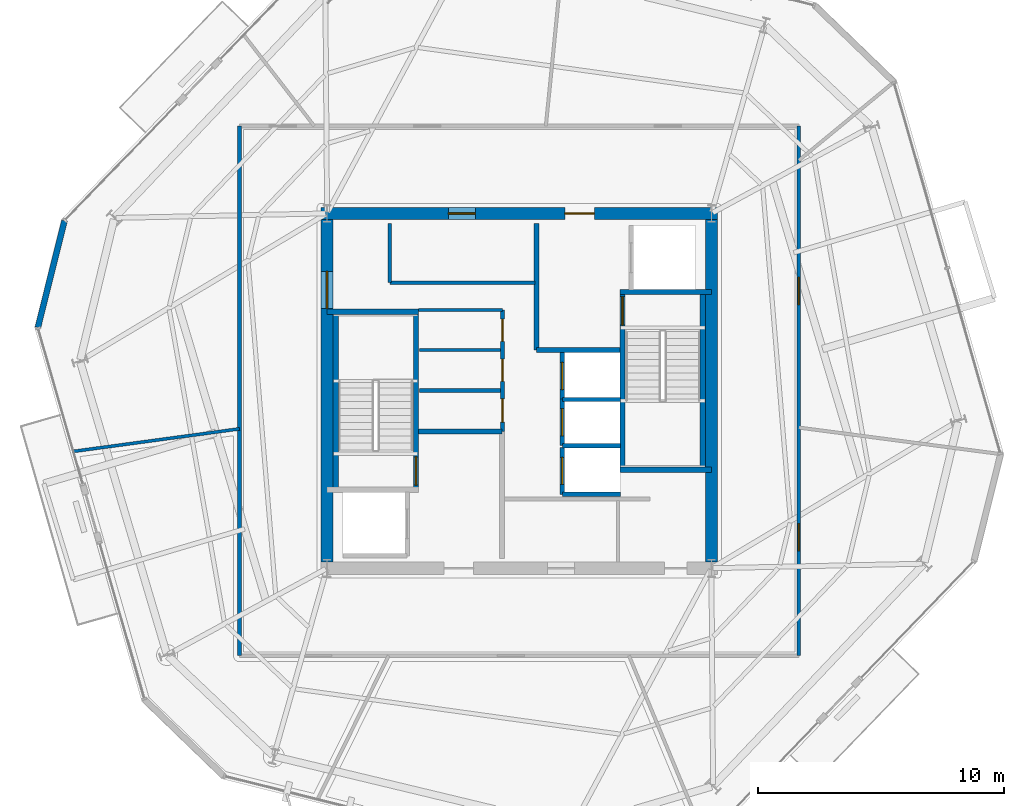
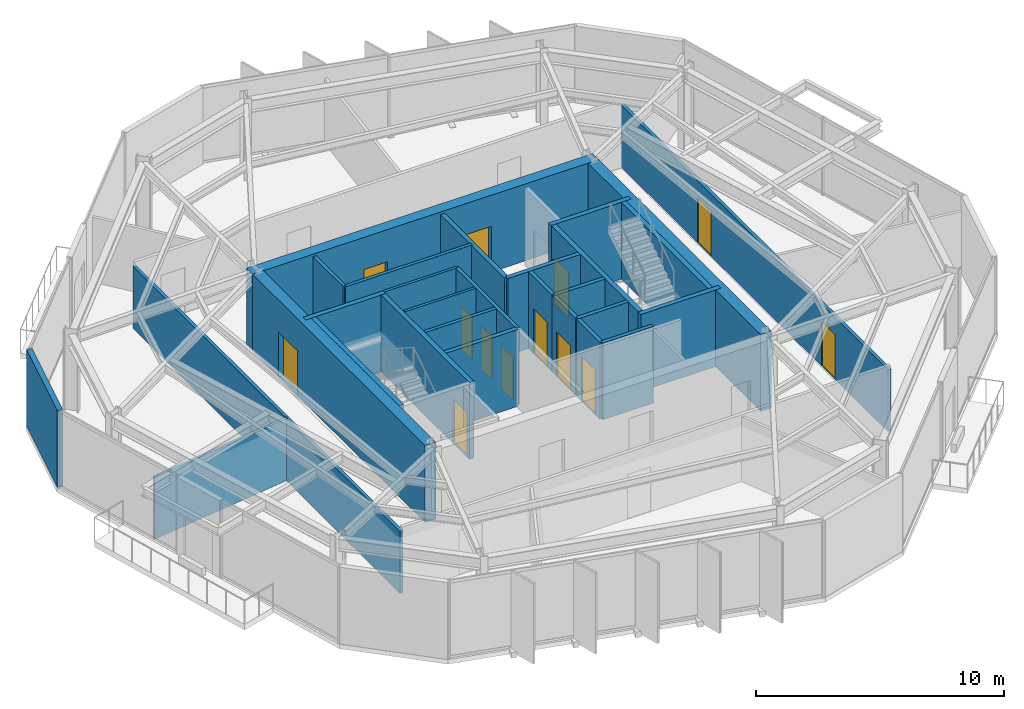
# One storey, part 7 of 11: 29 walls, 13 doors, 13 openings.
"""IFC4 building model written with IfcOpenShell, lengths in metres."""

from ifc_helpers import new_model, si_unit, direction, frame, frame_2d, origin, place, context, subcontext, project, spatial, rectangle, extrude, material, layer, layer_set, type_object, element, fill, save


model = new_model("IFC4")

# Units and contexts
model_context = context("Model", 3, precision=1e-05, world=origin(), true_north=direction((0.0, 1.0)))
body_context = subcontext(model_context, "Body", "Model", "MODEL_VIEW")
ifc_project = project(units=[si_unit("LENGTHUNIT", "METRE"), si_unit("AREAUNIT", "SQUARE_METRE"), si_unit("VOLUMEUNIT", "CUBIC_METRE"), si_unit("PLANEANGLEUNIT", "RADIAN"), si_unit("MASSUNIT", "GRAM", prefix="KILO")], contexts=[model_context])

# Site, building, storey
site_placement = place(None, origin())
site = spatial("IfcSite", under=ifc_project, at=site_placement, CompositionType="ELEMENT")
building_placement = place(site_placement, origin())
building = spatial("IfcBuilding", under=site, at=building_placement, Name="Kranzbogen Civic Tower", CompositionType="ELEMENT")
storey_placement = place(building_placement, frame((0.0, 0.0, 208.800048828125)))
storey = spatial("IfcBuildingStorey", under=building, at=storey_placement, Name="L50", CompositionType="ELEMENT", Elevation=208.800048828125)

# Walls
ifc_material_1 = material(Name="Double-Stud Acoustic Gypsum Partition")
ifc_layer_1 = layer(ifc_material_1, 0.14990234375, Name="Double-Stud Acoustic Gypsum Partition")
ifc_layer_set_1 = layer_set([ifc_layer_1], Name="Double-Stud Acoustic Gypsum Partition")
wall_type_1 = type_object("IfcWallType", Name="Acoustic Corridor and Clinical Partition 150 mm", PredefinedType="PARTITIONING", material=ifc_layer_set_1)
wall_1_placement = place(storey_placement, frame((19.75, 29.389892578125, 0.0), z_axis=(0.0, 0.0, 1.0), x_axis=(1.0, 0.0, 0.0)))
element("IfcWall", 1, at=wall_1_placement, inside=storey, type_object=wall_type_1, Name="L50 digital comms South wall", PredefinedType="PARTITIONING", context=body_context, shape_type="SweptSolid", body=[
    extrude(rectangle(XDim=5.89990234375, YDim=0.14990234375, at=frame_2d((2.949951171875, 0.0))), origin(), (0.0, 0.0, 1.0), 3.780029296875),
])
wall_2_placement = place(storey_placement, frame((19.75, 29.389892578125, 0.0), z_axis=(0.0, 0.0, 1.0), x_axis=(0.0, 1.0, 0.0)))
element("IfcWall", 2, at=wall_2_placement, inside=storey, type_object=wall_type_1, Name="L50 digital comms West wall", PredefinedType="PARTITIONING", context=body_context, shape_type="SweptSolid", body=[
    extrude(rectangle(XDim=2.41015625, YDim=0.14990234375, at=frame_2d((1.205078125, 0.0))), origin(), (0.0, 0.0, 1.0), 3.780029296875),
])

# Wall, openings, doors
wall_3_placement = place(storey_placement, frame((36.35009765625, 35.75, 0.0), z_axis=(0.0, 0.0, 1.0), x_axis=(0.0, -1.0, 0.0)))
wall_3 = element("IfcWall", 3, at=wall_3_placement, inside=storey, type_object=wall_type_1, Name="L50 corridor partition 02", PredefinedType="PARTITIONING", context=body_context, shape_type="SweptSolid", body=[
    extrude(rectangle(XDim=21.5, YDim=0.14990234375, at=frame_2d((10.75, 0.0))), origin(), (0.0, 0.0, 1.0), 3.050048828125),
])
opening_1_placement = place(wall_3_placement, frame((16.14208984375, 0.0, 0.0)))
opening_1 = element("IfcOpeningElement", 4, at=opening_1_placement, cuts=wall_3, Name="Opening D-COR60", PredefinedType="OPENING", context=body_context, shape_type="SweptSolid", body=[
    extrude(rectangle(XDim=1.10009765625, YDim=2.199951171875, at=frame_2d((0.550048828125, 1.10009765625))), frame((0.0, 0.0849609375, 0.0), z_axis=(0.0, -1.0, 0.0), x_axis=(1.0, 0.0, 0.0)), (0.0, 0.0, 1.0), 0.169921875),
])
opening_2_placement = place(wall_3_placement, frame((6.14794921875, 0.0, 0.0)))
opening_2 = element("IfcOpeningElement", 5, at=opening_2_placement, cuts=wall_3, Name="Opening D-COR60", PredefinedType="OPENING", context=body_context, shape_type="SweptSolid", body=[
    extrude(rectangle(XDim=1.10009765625, YDim=2.199951171875, at=frame_2d((0.550048828125, 1.10009765625))), frame((0.0, 0.0849609375, 0.0), z_axis=(0.0, -1.0, 0.0), x_axis=(1.0, 0.0, 0.0)), (0.0, 0.0, 1.0), 0.169921875),
])
ifc_material_2 = material(Name="Oak Timber and Fire Core", Category="wood")
door_type_1 = type_object("IfcDoorType", Name="Corridor Acoustic Fire Door 1100x2200", OperationType="NOTDEFINED", PredefinedType="DOOR", material=ifc_material_2)
door_1_placement = place(opening_1_placement, origin())
door_1 = element("IfcDoor", 6, at=door_1_placement, inside=storey, type_object=door_type_1, Name="L50 Protocol Dining Room door", OperationType="SINGLE_SWING_LEFT", OverallHeight=2.199951171875, OverallWidth=1.10009765625, PredefinedType="DOOR", context=body_context, shape_type="SweptSolid", body=[
    extrude(rectangle(XDim=1.10009765625, YDim=2.199951171875, at=frame_2d((0.550048828125, 1.10009765625))), frame((0.0, 0.02490234375, 0.0), z_axis=(0.0, -1.0, 0.0), x_axis=(1.0, 0.0, 0.0)), (0.0, 0.0, 1.0), 0.050048828125),
])
fill(opening_1, door_1)
door_2_placement = place(opening_2_placement, origin())
door_2 = element("IfcDoor", 7, at=door_2_placement, inside=storey, type_object=door_type_1, Name="L50 Staff Tea Pantry door", OperationType="SINGLE_SWING_RIGHT", OverallHeight=2.199951171875, OverallWidth=1.10009765625, PredefinedType="DOOR", context=body_context, shape_type="SweptSolid", body=[
    extrude(rectangle(XDim=1.10009765625, YDim=2.199951171875, at=frame_2d((0.550048828125, 1.10009765625))), frame((0.0, 0.02490234375, 0.0), z_axis=(0.0, -1.0, 0.0), x_axis=(1.0, 0.0, 0.0)), (0.0, 0.0, 1.0), 0.050048828125),
])
fill(opening_2, door_2)

# Walls
wall_4_placement = place(storey_placement, frame((13.64990234375, 14.25, 0.0), z_axis=(0.0, 0.0, 1.0), x_axis=(0.0, 1.0, 0.0)))
element("IfcWall", 8, at=wall_4_placement, inside=storey, type_object=wall_type_1, Name="L50 corridor partition 04", PredefinedType="PARTITIONING", context=body_context, shape_type="SweptSolid", body=[
    extrude(rectangle(XDim=21.5, YDim=0.14990234375, at=frame_2d((10.75, 0.0))), origin(), (0.0, 0.0, 1.0), 3.050048828125),
])
ifc_material_3 = material(Name="Insulated Metal-Stud Gypsum Partition")
ifc_layer_2 = layer(ifc_material_3, 0.125, Name="Insulated Metal-Stud Gypsum Partition")
ifc_layer_set_2 = layer_set([ifc_layer_2], Name="Insulated Metal-Stud Gypsum Partition")
wall_type_2 = type_object("IfcWallType", Name="Acoustic Inter-Room Partition 125 mm", PredefinedType="PARTITIONING", material=ifc_layer_set_2)
wall_5_placement = place(storey_placement, frame((20.919921875, 28.280029296875, 0.0), z_axis=(0.0, 0.0, 1.0), x_axis=(1.0, 0.0, 0.0)))
element("IfcWall", 9, at=wall_5_placement, inside=storey, type_object=wall_type_2, Name="L50 core auxiliary North wall", PredefinedType="PARTITIONING", context=body_context, shape_type="SweptSolid", body=[
    extrude(rectangle(XDim=3.405029296875, YDim=0.125, at=frame_2d((1.70263671875, 0.0))), origin(), (0.0, 0.0, 1.0), 3.780029296875),
])
wall_6_placement = place(storey_placement, frame((20.949951171875, 26.659912109375, 0.0), z_axis=(0.0, 0.0, 1.0), x_axis=(1.0, 0.0, 0.0)))
element("IfcWall", 10, at=wall_6_placement, inside=storey, type_object=wall_type_2, Name="L50 core auxiliary partition 3", PredefinedType="PARTITIONING", context=body_context, shape_type="SweptSolid", body=[
    extrude(rectangle(XDim=3.300048828125, YDim=0.125, at=frame_2d((1.64990234375, 0.0))), origin(), (0.0, 0.0, 1.0), 3.780029296875),
])
wall_7_placement = place(storey_placement, frame((13.64990234375, 23.45703125, 0.0), z_axis=(0.0, 0.0, 1.0), x_axis=(-0.990896348714, -0.134626988772, 0.0)))
element("IfcWall", 11, at=wall_7_placement, inside=storey, type_object=wall_type_2, Name="L50 radial room partition 03", PredefinedType="PARTITIONING", context=body_context, shape_type="SweptSolid", body=[
    extrude(rectangle(XDim=6.78955078125, YDim=0.125, at=frame_2d((3.394775390625, 0.0))), origin(), (0.0, 0.0, 1.0), 3.050048828125),
])

# Wall, openings, doors
ifc_material_4 = material(Name="Concrete C45/55", Category="concrete")
ifc_layer_3 = layer(ifc_material_4, 0.5, Name="Concrete C45/55")
ifc_layer_set_3 = layer_set([ifc_layer_3], Name="Concrete C45/55")
wall_type_3 = type_object("IfcWallType", Name="Central Core Shear Wall 500 mm", PredefinedType="SHEAR", material=ifc_layer_set_3)
wall_8_placement = place(storey_placement, frame((33.050048828125, 32.199951171875, 0.0), z_axis=(0.0, 0.0, 1.0), x_axis=(-1.0, 0.0, 0.0)))
wall_8 = element("IfcWall", 12, at=wall_8_placement, inside=storey, type_object=wall_type_3, Name="L50 central core North shear wall", PredefinedType="SHEAR", context=body_context, shape_type="SweptSolid", body=[
    extrude(rectangle(XDim=16.10009765625, YDim=0.5, at=frame_2d((8.050048828125, 0.0))), origin(), (0.0, 0.0, 1.0), 3.780029296875),
])
opening_3_placement = place(wall_8_placement, frame((5.0, 0.0, 0.0)))
opening_3 = element("IfcOpeningElement", 13, at=opening_3_placement, cuts=wall_8, Name="Opening D-EX120", PredefinedType="OPENING", context=body_context, shape_type="SweptSolid", body=[
    extrude(rectangle(XDim=1.199951171875, YDim=2.25, at=frame_2d((0.60009765625, 1.125))), frame((0.0, 0.260009765625, 0.0), z_axis=(0.0, -1.0, 0.0), x_axis=(1.0, 0.0, 0.0)), (0.0, 0.0, 1.0), 0.52001953125),
])
opening_4_placement = place(wall_8_placement, frame((9.824951171875, 0.0, 0.0)))
opening_4 = element("IfcOpeningElement", 14, at=opening_4_placement, cuts=wall_8, Name="Opening D-COR60", PredefinedType="OPENING", context=body_context, shape_type="SweptSolid", body=[
    extrude(rectangle(XDim=1.10009765625, YDim=2.199951171875, at=frame_2d((0.550048828125, 1.10009765625))), frame((0.0, 0.260009765625, 0.0), z_axis=(0.0, -1.0, 0.0), x_axis=(1.0, 0.0, 0.0)), (0.0, 0.0, 1.0), 0.52001953125),
])
door_3_placement = place(opening_4_placement, origin())
door_3 = element("IfcDoor", 15, at=door_3_placement, inside=storey, type_object=door_type_1, Name="L50 DAT1 comms room door", OperationType="SINGLE_SWING_RIGHT", OverallHeight=2.199951171875, OverallWidth=1.10009765625, PredefinedType="DOOR", context=body_context, shape_type="SweptSolid", body=[
    extrude(rectangle(XDim=1.10009765625, YDim=2.199951171875, at=frame_2d((0.550048828125, 1.10009765625))), frame((0.0, 0.02490234375, 0.0), z_axis=(0.0, -1.0, 0.0), x_axis=(1.0, 0.0, 0.0)), (0.0, 0.0, 1.0), 0.050048828125),
])
fill(opening_4, door_3)
ifc_material_5 = material(Name="Steel S355", Category="steel")
door_type_2 = type_object("IfcDoorType", Name="Exit Passageway Fire Door 1200x2250", OperationType="NOTDEFINED", PredefinedType="DOOR", material=ifc_material_5)
door_4_placement = place(opening_3_placement, origin())
door_4 = element("IfcDoor", 16, at=door_4_placement, inside=storey, type_object=door_type_2, Name="L50 East firefighting lobby corridor door", OperationType="SINGLE_SWING_RIGHT", OverallHeight=2.25, OverallWidth=1.199951171875, PredefinedType="DOOR", context=body_context, shape_type="SweptSolid", body=[
    extrude(rectangle(XDim=1.199951171875, YDim=2.25, at=frame_2d((0.60009765625, 1.125))), frame((0.0, 0.02490234375, 0.0), z_axis=(0.0, -1.0, 0.0), x_axis=(1.0, 0.0, 0.0)), (0.0, 0.0, 1.0), 0.050048828125),
])
fill(opening_3, door_4)

# Wall, opening, door
wall_9_placement = place(storey_placement, frame((17.199951171875, 31.949951171875, 0.0), z_axis=(0.0, 0.0, 1.0), x_axis=(0.0, -1.0, 0.0)))
wall_9 = element("IfcWall", 17, at=wall_9_placement, inside=storey, type_object=wall_type_3, Name="L50 central core West shear wall", PredefinedType="SHEAR", context=body_context, shape_type="SweptSolid", body=[
    extrude(rectangle(XDim=13.89990234375, YDim=0.5, at=frame_2d((6.949951171875, 0.0))), origin(), (0.0, 0.0, 1.0), 3.780029296875),
])
opening_5_placement = place(wall_9_placement, frame((2.10009765625, 0.0, 0.0)))
opening_5 = element("IfcOpeningElement", 18, at=opening_5_placement, cuts=wall_9, Name="Opening D-DBL15", PredefinedType="OPENING", context=body_context, shape_type="SweptSolid", body=[
    extrude(rectangle(XDim=1.5, YDim=2.199951171875, at=frame_2d((0.75, 1.10009765625))), frame((0.0, 0.260009765625, 0.0), z_axis=(0.0, -1.0, 0.0), x_axis=(1.0, 0.0, 0.0)), (0.0, 0.0, 1.0), 0.52001953125),
])
ifc_material_6 = material(Name="Anodised Bronze and Glass", Category="glass")
door_type_3 = type_object("IfcDoorType", Name="Civic Lobby Double Door 1500x2200", OperationType="DOUBLE_DOOR_SINGLE_SWING", PredefinedType="DOOR", material=ifc_material_6)
door_5_placement = place(opening_5_placement, origin())
door_5 = element("IfcDoor", 19, at=door_5_placement, inside=storey, type_object=door_type_3, Name="L50 Central Lift Lobby West concourse door", OperationType="DOUBLE_DOOR_SINGLE_SWING", OverallHeight=2.199951171875, OverallWidth=1.5, PredefinedType="DOOR", context=body_context, shape_type="SweptSolid", body=[
    extrude(rectangle(XDim=1.5, YDim=2.199951171875, at=frame_2d((0.75, 1.10009765625))), frame((0.0, 0.02490234375, 0.0), z_axis=(0.0, -1.0, 0.0), x_axis=(1.0, 0.0, 0.0)), (0.0, 0.0, 1.0), 0.050048828125),
])
fill(opening_5, door_5)

# Wall
wall_10_placement = place(storey_placement, frame((32.800048828125, 18.050048828125, 0.0), z_axis=(0.0, 0.0, 1.0), x_axis=(0.0, 1.0, 0.0)))
element("IfcWall", 20, at=wall_10_placement, inside=storey, type_object=wall_type_3, Name="L50 central core East shear wall", PredefinedType="SHEAR", context=body_context, shape_type="SweptSolid", body=[
    extrude(rectangle(XDim=13.89990234375, YDim=0.5, at=frame_2d((6.949951171875, 0.0))), origin(), (0.0, 0.0, 1.0), 3.780029296875),
])

# Wall, opening, door
ifc_layer_4 = layer(ifc_material_4, 0.219970703125, Name="Concrete C45/55")
ifc_layer_set_4 = layer_set([ifc_layer_4], Name="Concrete C45/55")
wall_type_4 = type_object("IfcWallType", Name="Core Internal Stair Structural Wall 220 mm", PredefinedType="SOLIDWALL", material=ifc_layer_set_4)
wall_11_placement = place(storey_placement, frame((20.81005859375, 20.989990234375, 0.0), z_axis=(0.0, 0.0, 1.0), x_axis=(0.0, 1.0, 0.0)))
wall_11 = element("IfcWall", 21, at=wall_11_placement, inside=storey, type_object=wall_type_4, Name="L50 ST-T1 East structural stair wall", PredefinedType="SOLIDWALL", context=body_context, shape_type="SweptSolid", body=[
    extrude(rectangle(XDim=7.219970703125, YDim=0.219970703125, at=frame_2d((3.60986328125, 0.0))), origin(), (0.0, 0.0, 1.0), 3.780029296875),
])
opening_6_placement = place(wall_11_placement, frame((0.179931640625, 0.0, 0.0)))
opening_6 = element("IfcOpeningElement", 22, at=opening_6_placement, cuts=wall_11, Name="Opening D-ST90", PredefinedType="OPENING", context=body_context, shape_type="SweptSolid", body=[
    extrude(rectangle(XDim=1.14990234375, YDim=2.199951171875, at=frame_2d((0.574951171875, 1.10009765625))), frame((0.0, 0.1201171875, 0.0), z_axis=(0.0, -1.0, 0.0), x_axis=(1.0, 0.0, 0.0)), (0.0, 0.0, 1.0), 0.239990234375),
])
door_type_4 = type_object("IfcDoorType", Name="Pressurized Stair and Lobby Fire Door 1150x2200", OperationType="NOTDEFINED", PredefinedType="DOOR", material=ifc_material_5)
door_6_placement = place(opening_6_placement, origin())
door_6 = element("IfcDoor", 23, at=door_6_placement, inside=storey, type_object=door_type_4, Name="L50 Stair ST-T1 fire door", OperationType="SINGLE_SWING_LEFT", OverallHeight=2.199951171875, OverallWidth=1.14990234375, PredefinedType="DOOR", context=body_context, shape_type="SweptSolid", body=[
    extrude(rectangle(XDim=1.14990234375, YDim=2.199951171875, at=frame_2d((0.574951171875, 1.10009765625))), frame((0.0, 0.02490234375, 0.0), z_axis=(0.0, -1.0, 0.0), x_axis=(1.0, 0.0, 0.0)), (0.0, 0.0, 1.0), 0.050048828125),
])
fill(opening_6, door_6)

# Walls
wall_12_placement = place(storey_placement, frame((17.199951171875, 28.2099609375, 0.0), z_axis=(0.0, 0.0, 1.0), x_axis=(1.0, 0.0, 0.0)))
element("IfcWall", 24, at=wall_12_placement, inside=storey, type_object=wall_type_4, Name="L50 ST-T1 North structural stair wall", PredefinedType="SOLIDWALL", context=body_context, shape_type="SweptSolid", body=[
    extrude(rectangle(XDim=3.719970703125, YDim=0.219970703125, at=frame_2d((1.85986328125, 0.0))), origin(), (0.0, 0.0, 1.0), 3.780029296875),
])
wall_13_placement = place(storey_placement, frame((17.554931640625, 28.2099609375, 0.0), z_axis=(0.0, 0.0, 1.0), x_axis=(0.0, -1.0, 0.0)))
element("IfcWall", 25, at=wall_13_placement, inside=storey, type_object=wall_type_4, Name="L50 ST-T1 West structural stair wall", PredefinedType="SOLIDWALL", context=body_context, shape_type="SweptSolid", body=[
    extrude(rectangle(XDim=7.219970703125, YDim=0.219970703125, at=frame_2d((3.60986328125, 0.0))), origin(), (0.0, 0.0, 1.0), 3.780029296875),
])

# Wall, opening, door
wall_14_placement = place(storey_placement, frame((29.18994140625, 21.7900390625, 0.0), z_axis=(0.0, 0.0, 1.0), x_axis=(0.0, 1.0, 0.0)))
wall_14 = element("IfcWall", 26, at=wall_14_placement, inside=storey, type_object=wall_type_4, Name="L50 ST-T2 West structural stair wall", PredefinedType="SOLIDWALL", context=body_context, shape_type="SweptSolid", body=[
    extrude(rectangle(XDim=7.219970703125, YDim=0.219970703125, at=frame_2d((3.60986328125, 0.0))), origin(), (0.0, 0.0, 1.0), 3.780029296875),
])
opening_7_placement = place(wall_14_placement, frame((5.8798828125, 0.0, 0.0)))
opening_7 = element("IfcOpeningElement", 27, at=opening_7_placement, cuts=wall_14, Name="Opening D-ST90", PredefinedType="OPENING", context=body_context, shape_type="SweptSolid", body=[
    extrude(rectangle(XDim=1.14990234375, YDim=2.199951171875, at=frame_2d((0.574951171875, 1.10009765625))), frame((0.0, 0.1201171875, 0.0), z_axis=(0.0, -1.0, 0.0), x_axis=(1.0, 0.0, 0.0)), (0.0, 0.0, 1.0), 0.239990234375),
])
door_7_placement = place(opening_7_placement, origin())
door_7 = element("IfcDoor", 28, at=door_7_placement, inside=storey, type_object=door_type_4, Name="L50 Stair ST-T2 fire door", OperationType="SINGLE_SWING_RIGHT", OverallHeight=2.199951171875, OverallWidth=1.14990234375, PredefinedType="DOOR", context=body_context, shape_type="SweptSolid", body=[
    extrude(rectangle(XDim=1.14990234375, YDim=2.199951171875, at=frame_2d((0.574951171875, 1.10009765625))), frame((0.0, 0.02490234375, 0.0), z_axis=(0.0, -1.0, 0.0), x_axis=(1.0, 0.0, 0.0)), (0.0, 0.0, 1.0), 0.050048828125),
])
fill(opening_7, door_7)

# Walls
for number, where, z_axis, x_axis, name in (
    (29, (29.080078125, 21.7900390625, 0.0), (0.0, 0.0, 1.0), (1.0, 0.0, 0.0), "L50 ST-T2 South structural stair wall"),
    (30, (29.080078125, 29.010009765625, 0.0), (0.0, 0.0, 1.0), (1.0, 0.0, 0.0), "L50 ST-T2 North structural stair wall"),
):
    element("IfcWall", number, at=place(storey_placement, frame(where, z_axis=z_axis, x_axis=x_axis)), inside=storey, type_object=wall_type_4, Name=name, PredefinedType="SOLIDWALL", context=body_context, shape_type="SweptSolid", body=[
        extrude(rectangle(XDim=3.719970703125, YDim=0.219970703125, at=frame_2d((1.85986328125, 0.0))), origin(), (0.0, 0.0, 1.0), 3.780029296875),
    ])
wall_15_placement = place(storey_placement, frame((32.445068359375, 29.010009765625, 0.0), z_axis=(0.0, 0.0, 1.0), x_axis=(0.0, -1.0, 0.0)))
element("IfcWall", 31, at=wall_15_placement, inside=storey, type_object=wall_type_4, Name="L50 ST-T2 East structural stair wall", PredefinedType="SOLIDWALL", context=body_context, shape_type="SweptSolid", body=[
    extrude(rectangle(XDim=7.219970703125, YDim=0.219970703125, at=frame_2d((3.60986328125, 0.0))), origin(), (0.0, 0.0, 1.0), 3.780029296875),
])
ifc_material_7 = material(Name="Gypsum Fireboard and Concrete Block", Category="concrete")
ifc_layer_5 = layer(ifc_material_7, 0.199951171875, Name="Gypsum Fireboard and Concrete Block")
ifc_layer_set_5 = layer_set([ifc_layer_5], Name="Gypsum Fireboard and Concrete Block")
wall_type_5 = type_object("IfcWallType", Name="Fire-Rated Exit Passageway and Stair Wall 200 mm", PredefinedType="PARTITIONING", material=ifc_layer_set_5)
wall_16_placement = place(storey_placement, frame((20.919921875, 23.35009765625, 0.0), z_axis=(0.0, 0.0, 1.0), x_axis=(1.0, 0.0, 0.0)))
element("IfcWall", 32, at=wall_16_placement, inside=storey, type_object=wall_type_5, Name="L50 West firefighting lobby North wall", PredefinedType="PARTITIONING", context=body_context, shape_type="SweptSolid", body=[
    extrude(rectangle(XDim=3.380126953125, YDim=0.199951171875, at=frame_2d((1.68994140625, 0.0))), origin(), (0.0, 0.0, 1.0), 3.780029296875),
])
wall_17_placement = place(storey_placement, frame((25.699951171875, 26.64990234375, 0.0), z_axis=(0.0, 0.0, 1.0), x_axis=(0.0, 1.0, 0.0)))
element("IfcWall", 33, at=wall_17_placement, inside=storey, type_object=wall_type_5, Name="L50 East firefighting lobby West wall", PredefinedType="PARTITIONING", context=body_context, shape_type="SweptSolid", body=[
    extrude(rectangle(XDim=5.150146484375, YDim=0.199951171875, at=frame_2d((2.5751953125, 0.0))), origin(), (0.0, 0.0, 1.0), 3.780029296875),
])
wall_18_placement = place(storey_placement, frame((25.699951171875, 26.64990234375, 0.0), z_axis=(0.0, 0.0, 1.0), x_axis=(1.0, 0.0, 0.0)))
element("IfcWall", 34, at=wall_18_placement, inside=storey, type_object=wall_type_5, Name="L50 East firefighting lobby South wall", PredefinedType="PARTITIONING", context=body_context, shape_type="SweptSolid", body=[
    extrude(rectangle(XDim=3.380126953125, YDim=0.199951171875, at=frame_2d((1.68994140625, 0.0))), origin(), (0.0, 0.0, 1.0), 3.780029296875),
])

# Wall, opening, door
ifc_material_8 = material(Name="Gypsum Fireboard Shaftliner")
ifc_layer_6 = layer(ifc_material_8, 0.175048828125, Name="Gypsum Fireboard Shaftliner")
ifc_layer_set_6 = layer_set([ifc_layer_6], Name="Gypsum Fireboard Shaftliner")
wall_type_6 = type_object("IfcWallType", Name="Fire-Rated Lift and Service Shaft Wall 175 mm", PredefinedType="PARTITIONING", material=ifc_layer_set_6)
wall_19_placement = place(storey_placement, frame((26.75, 20.800048828125, 0.0), z_axis=(0.0, 0.0, 1.0), x_axis=(0.0, 1.0, 0.0)))
wall_19 = element("IfcWall", 35, at=wall_19_placement, inside=storey, type_object=wall_type_6, Name="L50 lift HP-01 landing wall", PredefinedType="PARTITIONING", context=body_context, shape_type="SweptSolid", body=[
    extrude(rectangle(XDim=1.89990234375, YDim=0.175048828125, at=frame_2d((0.949951171875, 0.0))), origin(), (0.0, 0.0, 1.0), 3.780029296875),
])
opening_8_placement = place(wall_19_placement, frame((0.39990234375, 0.0, 0.0)))
opening_8 = element("IfcOpeningElement", 36, at=opening_8_placement, cuts=wall_19, Name="Opening LD-HP-01", PredefinedType="OPENING", context=body_context, shape_type="SweptSolid", body=[
    extrude(rectangle(XDim=1.10009765625, YDim=2.199951171875, at=frame_2d((0.550048828125, 1.10009765625))), frame((0.0, 0.09765625, 0.0), z_axis=(0.0, -1.0, 0.0), x_axis=(1.0, 0.0, 0.0)), (0.0, 0.0, 1.0), 0.195068359375),
])
ifc_material_9 = material(Name="Pale Anodised Aluminium", Category="aluminium")
door_type_5 = type_object("IfcDoorType", Name="Passenger Lift Sliding Landing Door 1100x2200", OperationType="DOUBLE_DOOR_SLIDING", PredefinedType="DOOR", material=ifc_material_9)
door_8_placement = place(opening_8_placement, origin())
door_8 = element("IfcDoor", 37, at=door_8_placement, inside=storey, type_object=door_type_5, Name="L50 lift HP-01 sliding landing door", OperationType="DOUBLE_DOOR_SLIDING", OverallHeight=2.199951171875, OverallWidth=1.10009765625, PredefinedType="DOOR", context=body_context, shape_type="SweptSolid", body=[
    extrude(rectangle(XDim=1.10009765625, YDim=2.199951171875, at=frame_2d((0.550048828125, 1.10009765625))), frame((0.0, 0.02490234375, 0.0), z_axis=(0.0, -1.0, 0.0), x_axis=(1.0, 0.0, 0.0)), (0.0, 0.0, 1.0), 0.050048828125),
])
fill(opening_8, door_8)

# Wall
wall_20_placement = place(storey_placement, frame((26.75, 20.800048828125, 0.0), z_axis=(0.0, 0.0, 1.0), x_axis=(1.0, 0.0, 0.0)))
element("IfcWall", 38, at=wall_20_placement, inside=storey, type_object=wall_type_6, Name="L50 lift HP-01 side wall", PredefinedType="PARTITIONING", context=body_context, shape_type="SweptSolid", body=[
    extrude(rectangle(XDim=2.35009765625, YDim=0.175048828125, at=frame_2d((1.175048828125, 0.0))), origin(), (0.0, 0.0, 1.0), 3.780029296875),
])

# Wall, opening, door
wall_21_placement = place(storey_placement, frame((26.75, 22.77490234375, 0.0), z_axis=(0.0, 0.0, 1.0), x_axis=(0.0, 1.0, 0.0)))
wall_21 = element("IfcWall", 39, at=wall_21_placement, inside=storey, type_object=wall_type_6, Name="L50 lift HP-02 landing wall", PredefinedType="PARTITIONING", context=body_context, shape_type="SweptSolid", body=[
    extrude(rectangle(XDim=1.900146484375, YDim=0.175048828125, at=frame_2d((0.9501953125, 0.0))), origin(), (0.0, 0.0, 1.0), 3.780029296875),
])
opening_9_placement = place(wall_21_placement, frame((0.39990234375, 0.0, 0.0)))
opening_9 = element("IfcOpeningElement", 40, at=opening_9_placement, cuts=wall_21, Name="Opening LD-HP-02", PredefinedType="OPENING", context=body_context, shape_type="SweptSolid", body=[
    extrude(rectangle(XDim=1.10009765625, YDim=2.199951171875, at=frame_2d((0.550048828125, 1.10009765625))), frame((0.0, 0.09765625, 0.0), z_axis=(0.0, -1.0, 0.0), x_axis=(1.0, 0.0, 0.0)), (0.0, 0.0, 1.0), 0.195068359375),
])
door_9_placement = place(opening_9_placement, origin())
door_9 = element("IfcDoor", 41, at=door_9_placement, inside=storey, type_object=door_type_5, Name="L50 lift HP-02 sliding landing door", OperationType="DOUBLE_DOOR_SLIDING", OverallHeight=2.199951171875, OverallWidth=1.10009765625, PredefinedType="DOOR", context=body_context, shape_type="SweptSolid", body=[
    extrude(rectangle(XDim=1.10009765625, YDim=2.199951171875, at=frame_2d((0.550048828125, 1.10009765625))), frame((0.0, 0.02490234375, 0.0), z_axis=(0.0, -1.0, 0.0), x_axis=(1.0, 0.0, 0.0)), (0.0, 0.0, 1.0), 0.050048828125),
])
fill(opening_9, door_9)

# Wall
wall_22_placement = place(storey_placement, frame((26.75, 22.77490234375, 0.0), z_axis=(0.0, 0.0, 1.0), x_axis=(1.0, 0.0, 0.0)))
element("IfcWall", 42, at=wall_22_placement, inside=storey, type_object=wall_type_6, Name="L50 lift HP-02 side wall", PredefinedType="PARTITIONING", context=body_context, shape_type="SweptSolid", body=[
    extrude(rectangle(XDim=2.35009765625, YDim=0.175048828125, at=frame_2d((1.175048828125, 0.0))), origin(), (0.0, 0.0, 1.0), 3.780029296875),
])

# Wall, opening, door
wall_23_placement = place(storey_placement, frame((26.75, 24.64990234375, 0.0), z_axis=(0.0, 0.0, 1.0), x_axis=(0.0, 1.0, 0.0)))
wall_23 = element("IfcWall", 43, at=wall_23_placement, inside=storey, type_object=wall_type_6, Name="L50 lift HP-03 landing wall", PredefinedType="PARTITIONING", context=body_context, shape_type="SweptSolid", body=[
    extrude(rectangle(XDim=1.900146484375, YDim=0.175048828125, at=frame_2d((0.9501953125, 0.0))), origin(), (0.0, 0.0, 1.0), 3.780029296875),
])
opening_10_placement = place(wall_23_placement, frame((0.39990234375, 0.0, 0.0)))
opening_10 = element("IfcOpeningElement", 44, at=opening_10_placement, cuts=wall_23, Name="Opening LD-HP-03", PredefinedType="OPENING", context=body_context, shape_type="SweptSolid", body=[
    extrude(rectangle(XDim=1.10009765625, YDim=2.199951171875, at=frame_2d((0.550048828125, 1.10009765625))), frame((0.0, 0.09765625, 0.0), z_axis=(0.0, -1.0, 0.0), x_axis=(1.0, 0.0, 0.0)), (0.0, 0.0, 1.0), 0.195068359375),
])
door_10_placement = place(opening_10_placement, origin())
door_10 = element("IfcDoor", 45, at=door_10_placement, inside=storey, type_object=door_type_5, Name="L50 lift HP-03 sliding landing door", OperationType="DOUBLE_DOOR_SLIDING", OverallHeight=2.199951171875, OverallWidth=1.10009765625, PredefinedType="DOOR", context=body_context, shape_type="SweptSolid", body=[
    extrude(rectangle(XDim=1.10009765625, YDim=2.199951171875, at=frame_2d((0.550048828125, 1.10009765625))), frame((0.0, 0.02490234375, 0.0), z_axis=(0.0, -1.0, 0.0), x_axis=(1.0, 0.0, 0.0)), (0.0, 0.0, 1.0), 0.050048828125),
])
fill(opening_10, door_10)

# Walls
wall_24_placement = place(storey_placement, frame((26.75, 24.64990234375, 0.0), z_axis=(0.0, 0.0, 1.0), x_axis=(1.0, 0.0, 0.0)))
element("IfcWall", 46, at=wall_24_placement, inside=storey, type_object=wall_type_6, Name="L50 lift HP-03 side wall", PredefinedType="PARTITIONING", context=body_context, shape_type="SweptSolid", body=[
    extrude(rectangle(XDim=2.35009765625, YDim=0.175048828125, at=frame_2d((1.175048828125, 0.0))), origin(), (0.0, 0.0, 1.0), 3.780029296875),
])
ifc_layer_7 = layer(ifc_material_9, 0.239990234375, Name="Pale Anodised Aluminium")
ifc_layer_set_7 = layer_set([ifc_layer_7], Name="Pale Anodised Aluminium")
wall_type_7 = type_object("IfcWallType", Name="Insulated Aluminium Facade Portal Wall 240 mm", PredefinedType="STANDARD", material=ifc_layer_set_7)
wall_25_placement = place(storey_placement, frame((6.5439453125, 31.904052734375, 0.0), z_axis=(0.0, 0.0, 1.0), x_axis=(-0.241712587921, -0.970347888564, 0.0)))
element("IfcWall", 47, at=wall_25_placement, inside=storey, type_object=wall_type_7, Name="L50 chamfered corner facade spandrel 2", PredefinedType="STANDARD", context=body_context, shape_type="SweptSolid", body=[
    extrude(rectangle(XDim=4.467529296875, YDim=0.239990234375, at=frame_2d((2.23388671875, 0.0))), origin(), (0.0, 0.0, 1.0), 3.780029296875),
])

# Wall, openings, doors
ifc_material_10 = material(Name="Moisture-Resistant Gypsum Assembly")
ifc_layer_8 = layer(ifc_material_10, 0.159912109375, Name="Moisture-Resistant Gypsum Assembly")
ifc_layer_set_8 = layer_set([ifc_layer_8], Name="Moisture-Resistant Gypsum Assembly")
wall_type_8 = type_object("IfcWallType", Name="Sanitary and Plumbing Wet Wall 160 mm", PredefinedType="PLUMBINGWALL", material=ifc_layer_set_8)
wall_26_placement = place(storey_placement, frame((24.324951171875, 23.35009765625, 0.0), z_axis=(0.0, 0.0, 1.0), x_axis=(0.0, 1.0, 0.0)))
wall_26 = element("IfcWall", 48, at=wall_26_placement, inside=storey, type_object=wall_type_8, Name="L50 core auxiliary East wall", PredefinedType="PLUMBINGWALL", context=body_context, shape_type="SweptSolid", body=[
    extrude(rectangle(XDim=4.929931640625, YDim=0.159912109375, at=frame_2d((2.46484375, 0.0))), origin(), (0.0, 0.0, 1.0), 3.780029296875),
])
opening_11_placement = place(wall_26_placement, frame((0.375, 0.0, 0.0)))
opening_11 = element("IfcOpeningElement", 49, at=opening_11_placement, cuts=wall_26, Name="Opening D-AWC95", PredefinedType="OPENING", context=body_context, shape_type="SweptSolid", body=[
    extrude(rectangle(XDim=0.949951171875, YDim=2.10009765625, at=frame_2d((0.47509765625, 1.050048828125))), frame((0.0, 0.08984375, 0.0), z_axis=(0.0, -1.0, 0.0), x_axis=(1.0, 0.0, 0.0)), (0.0, 0.0, 1.0), 0.179931640625),
])
opening_12_placement = place(wall_26_placement, frame((2.034912109375, 0.0, 0.0)))
opening_12 = element("IfcOpeningElement", 50, at=opening_12_placement, cuts=wall_26, Name="Opening D-WC90", PredefinedType="OPENING", context=body_context, shape_type="SweptSolid", body=[
    extrude(rectangle(XDim=0.89990234375, YDim=2.10009765625, at=frame_2d((0.449951171875, 1.050048828125))), frame((0.0, 0.08984375, 0.0), z_axis=(0.0, -1.0, 0.0), x_axis=(1.0, 0.0, 0.0)), (0.0, 0.0, 1.0), 0.179931640625),
])
opening_13_placement = place(wall_26_placement, frame((3.659912109375, 0.0, 0.0)))
opening_13 = element("IfcOpeningElement", 51, at=opening_13_placement, cuts=wall_26, Name="Opening D-WC90", PredefinedType="OPENING", context=body_context, shape_type="SweptSolid", body=[
    extrude(rectangle(XDim=0.89990234375, YDim=2.10009765625, at=frame_2d((0.449951171875, 1.050048828125))), frame((0.0, 0.08984375, 0.0), z_axis=(0.0, -1.0, 0.0), x_axis=(1.0, 0.0, 0.0)), (0.0, 0.0, 1.0), 0.179931640625),
])
ifc_material_11 = material(Name="Moisture-Resistant Laminate")
door_type_6 = type_object("IfcDoorType", Name="Accessible Restroom Door 950x2100", OperationType="NOTDEFINED", PredefinedType="DOOR", material=ifc_material_11)
door_11_placement = place(opening_11_placement, origin())
door_11 = element("IfcDoor", 52, at=door_11_placement, inside=storey, type_object=door_type_6, Name="L50 Accessible Restroom door", OperationType="SINGLE_SWING_LEFT", OverallHeight=2.10009765625, OverallWidth=0.949951171875, PredefinedType="DOOR", context=body_context, shape_type="SweptSolid", body=[
    extrude(rectangle(XDim=0.949951171875, YDim=2.10009765625, at=frame_2d((0.47509765625, 1.050048828125))), frame((0.0, 0.02490234375, 0.0), z_axis=(0.0, -1.0, 0.0), x_axis=(1.0, 0.0, 0.0)), (0.0, 0.0, 1.0), 0.050048828125),
])
fill(opening_11, door_11)
door_type_7 = type_object("IfcDoorType", Name="Standard Restroom and Store Door 900x2100", OperationType="NOTDEFINED", PredefinedType="DOOR", material=ifc_material_11)
door_12_placement = place(opening_12_placement, origin())
door_12 = element("IfcDoor", 53, at=door_12_placement, inside=storey, type_object=door_type_7, Name="L50 Staff Restroom door", OperationType="SINGLE_SWING_RIGHT", OverallHeight=2.10009765625, OverallWidth=0.89990234375, PredefinedType="DOOR", context=body_context, shape_type="SweptSolid", body=[
    extrude(rectangle(XDim=0.89990234375, YDim=2.10009765625, at=frame_2d((0.449951171875, 1.050048828125))), frame((0.0, 0.02490234375, 0.0), z_axis=(0.0, -1.0, 0.0), x_axis=(1.0, 0.0, 0.0)), (0.0, 0.0, 1.0), 0.050048828125),
])
fill(opening_12, door_12)
door_13_placement = place(opening_13_placement, origin())
door_13 = element("IfcDoor", 54, at=door_13_placement, inside=storey, type_object=door_type_7, Name="L50 Cleaner and Janitor Store door", OperationType="SINGLE_SWING_LEFT", OverallHeight=2.10009765625, OverallWidth=0.89990234375, PredefinedType="DOOR", context=body_context, shape_type="SweptSolid", body=[
    extrude(rectangle(XDim=0.89990234375, YDim=2.10009765625, at=frame_2d((0.449951171875, 1.050048828125))), frame((0.0, 0.02490234375, 0.0), z_axis=(0.0, -1.0, 0.0), x_axis=(1.0, 0.0, 0.0)), (0.0, 0.0, 1.0), 0.050048828125),
])
fill(opening_13, door_13)

# Wall
wall_27_placement = place(storey_placement, frame((20.949951171875, 25.010009765625, 0.0), z_axis=(0.0, 0.0, 1.0), x_axis=(1.0, 0.0, 0.0)))
element("IfcWall", 55, at=wall_27_placement, inside=storey, type_object=wall_type_8, Name="L50 core auxiliary partition 2", PredefinedType="PLUMBINGWALL", context=body_context, shape_type="SweptSolid", body=[
    extrude(rectangle(XDim=3.300048828125, YDim=0.159912109375, at=frame_2d((1.64990234375, 0.0))), origin(), (0.0, 0.0, 1.0), 3.780029296875),
])

save(model, "model.ifc")
